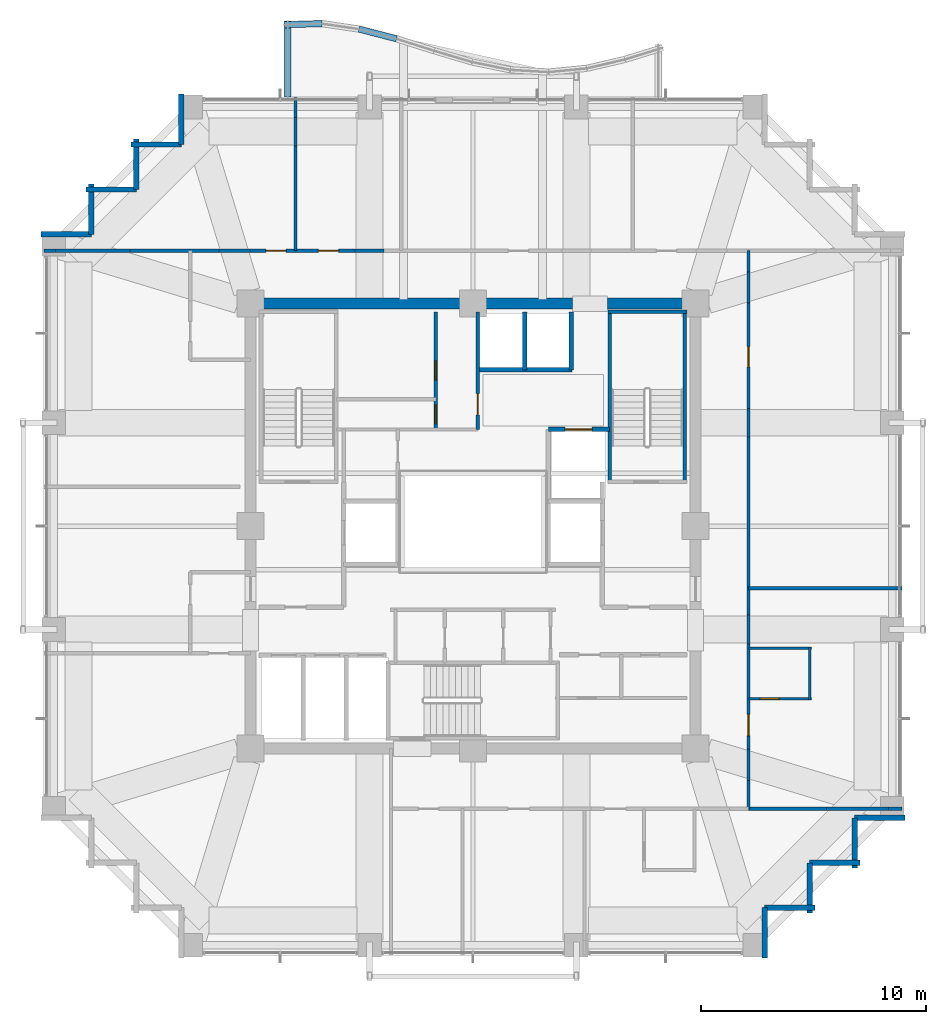
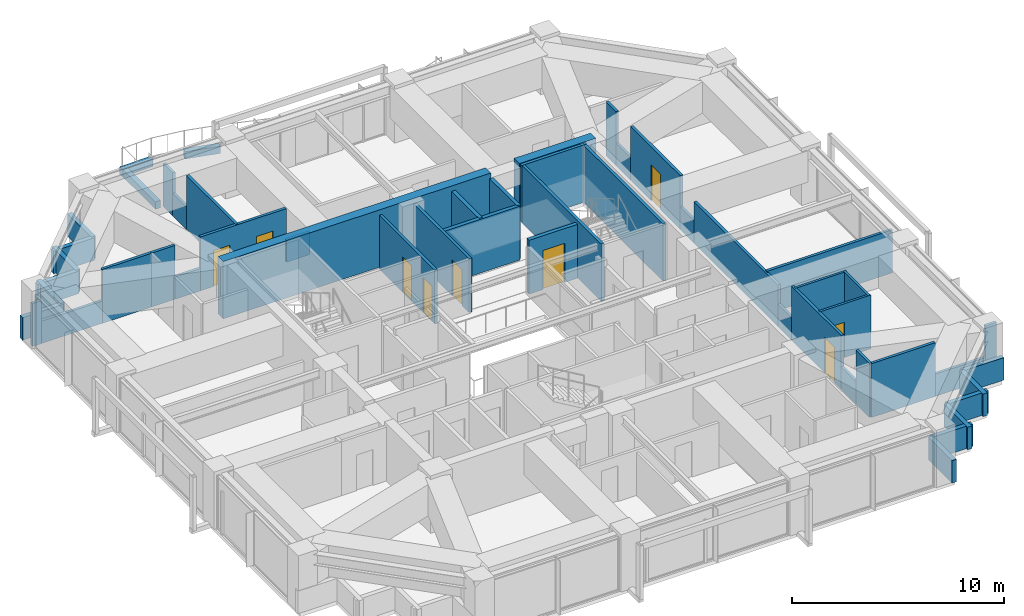
# One storey, part 26 of 28: 52 walls, 9 doors, 9 openings.
"""IFC4 building model written with IfcOpenShell, lengths in metres."""

from ifc_helpers import new_model, si_unit, direction, frame, frame_2d, origin, place, context, subcontext, project, spatial, rectangle, extrude, material, layer, layer_set, type_object, element, fill, save


model = new_model("IFC4")

# Units and contexts
model_context = context("Model", 3, precision=1e-05, world=origin(), true_north=direction((0.0, 1.0)))
body_context = subcontext(model_context, "Body", "Model", "MODEL_VIEW")
ifc_project = project(units=[si_unit("LENGTHUNIT", "METRE"), si_unit("AREAUNIT", "SQUARE_METRE"), si_unit("VOLUMEUNIT", "CUBIC_METRE"), si_unit("PLANEANGLEUNIT", "RADIAN"), si_unit("MASSUNIT", "GRAM", prefix="KILO")], contexts=[model_context])

# Site, building, storey
site_placement = place(None, origin())
site = spatial("IfcSite", under=ifc_project, at=site_placement, CompositionType="ELEMENT")
building_placement = place(site_placement, origin())
building = spatial("IfcBuilding", under=site, at=building_placement, Name="Kolvaren Belvedere", CompositionType="ELEMENT")
storey_placement = place(building_placement, frame((0.0, 0.0, 125.0)))
storey = spatial("IfcBuildingStorey", under=building, at=storey_placement, Name="L36", CompositionType="ELEMENT", Elevation=125.0)

# Walls
ifc_material_1 = material(Name="Concrete C50/60", Category="concrete")
ifc_layer_1 = layer(ifc_material_1, 0.5)
ifc_layer_set_1 = layer_set([ifc_layer_1], Name="Concrete C50/60")
wall_type_1 = type_object("IfcWallType", Name="CW-CORE-500", PredefinedType="SHEAR", material=ifc_layer_set_1)
wall_1_placement = place(storey_placement, frame((-10.14990234375, 9.89990234375, 0.0), z_axis=(0.0, 0.0, 1.0), x_axis=(1.0, 0.0, 0.0)))
element("IfcWall", 1, at=wall_1_placement, inside=storey, type_object=wall_type_1, Name="L36 North Core Shear Wall 1", PredefinedType="SHEAR", context=body_context, shape_type="SweptSolid", body=[
    extrude(rectangle(XDim=14.56982421875, YDim=0.5, at=frame_2d((7.284912109375, 0.0))), origin(), (0.0, 0.0, 1.0), 3.300048828125),
])
wall_2_placement = place(storey_placement, frame((5.97998046875, 9.89990234375, 0.0), z_axis=(0.0, 0.0, 1.0), x_axis=(1.0, 0.0, 0.0)))
element("IfcWall", 2, at=wall_2_placement, inside=storey, type_object=wall_type_1, Name="L36 North Core Shear Wall 2", PredefinedType="SHEAR", context=body_context, shape_type="SweptSolid", body=[
    extrude(rectangle(XDim=4.169921875, YDim=0.5, at=frame_2d((2.0849609375, 0.0))), origin(), (0.0, 0.0, 1.0), 3.300048828125),
])
ifc_material_2 = material(Name="Concrete C50/60", Category="concrete")
ifc_layer_2 = layer(ifc_material_2, 0.159912109375)
ifc_layer_set_2 = layer_set([ifc_layer_2], Name="Concrete C50/60")
wall_type_2 = type_object("IfcWallType", Name="CW-STAIR-160", PredefinedType="SHEAR", material=ifc_layer_set_2)
wall_3_placement = place(storey_placement, frame((6.0, 9.530029296875, 0.0), z_axis=(0.0, 0.0, 1.0), x_axis=(1.0, 0.0, 0.0)))
element("IfcWall", 3, at=wall_3_placement, inside=storey, type_object=wall_type_2, Name="L36 Stair ST-2 North Shear Wall", PredefinedType="SHEAR", context=body_context, shape_type="SweptSolid", body=[
    extrude(rectangle(XDim=3.52001953125, YDim=0.159912109375, at=frame_2d((1.760009765625, 0.0))), origin(), (0.0, 0.0, 1.0), 3.300048828125),
])
for number, where, z_axis, x_axis, name in (
    (4, (6.080078125, 1.969970703125, 0.0), (0.0, 0.0, 1.0), (0.0, 1.0, 0.0), "L36 Stair ST-2 West Shear Wall"),
    (5, (9.429931640625, 1.969970703125, 0.0), (0.0, 0.0, 1.0), (0.0, 1.0, 0.0), "L36 Stair ST-2 East Shear Wall"),
):
    element("IfcWall", number, at=place(storey_placement, frame(where, z_axis=z_axis, x_axis=x_axis)), inside=storey, type_object=wall_type_2, Name=name, PredefinedType="SHEAR", context=body_context, shape_type="SweptSolid", body=[
        extrude(rectangle(XDim=7.56005859375, YDim=0.159912109375, at=frame_2d((3.780029296875, 0.0))), origin(), (0.0, 0.0, 1.0), 3.300048828125),
    ])
ifc_material_3 = material(Name="Gypsum fire-rated partition assembly", Category="gypsum")
ifc_layer_3 = layer(ifc_material_3, 0.14990234375)
ifc_layer_set_3 = layer_set([ifc_layer_3], Name="Gypsum fire-rated partition assembly")
wall_type_3 = type_object("IfcWallType", Name="WL-CORR-150", PredefinedType="PARTITIONING", material=ifc_layer_set_3)
wall_4_placement = place(storey_placement, frame((-12.580078125, 12.260009765625, 0.0), z_axis=(0.0, 0.0, 1.0), x_axis=(1.0, 0.0, 0.0)))
element("IfcWall", 6, at=wall_4_placement, inside=storey, type_object=wall_type_3, Name="L36 North Corridor Wall", PredefinedType="PARTITIONING", context=body_context, shape_type="SweptSolid", body=[
    extrude(rectangle(XDim=1.26953125, YDim=0.14990234375, at=frame_2d((0.634765625, 0.0))), origin(), (0.0, 0.0, 1.0), 3.10009765625),
])
wall_5_placement = place(storey_placement, frame((-11.310546875, 12.260009765625, 0.0), z_axis=(0.0, 0.0, 1.0), x_axis=(1.0, 0.0, 0.0)))
element("IfcWall", 7, at=wall_5_placement, inside=storey, type_object=wall_type_3, Name="L36 North Corridor Wall", PredefinedType="PARTITIONING", context=body_context, shape_type="SweptSolid", body=[
    extrude(rectangle(XDim=1.3916015625, YDim=0.14990234375, at=frame_2d((0.69580078125, 0.0))), origin(), (0.0, 0.0, 1.0), 1.284912109375),
])

# Wall, openings, doors
wall_6_placement = place(storey_placement, frame((-9.9189453125, 12.260009765625, 0.0), z_axis=(0.0, 0.0, 1.0), x_axis=(1.0, 0.0, 0.0)))
wall_6 = element("IfcWall", 8, at=wall_6_placement, inside=storey, type_object=wall_type_3, Name="L36 North Corridor Wall", PredefinedType="PARTITIONING", context=body_context, shape_type="SweptSolid", body=[
    extrude(rectangle(XDim=4.677001953125, YDim=0.14990234375, at=frame_2d((2.33837890625, 0.0))), origin(), (0.0, 0.0, 1.0), 3.10009765625),
])
opening_1_placement = place(wall_6_placement, frame((0.701904296875, 0.0, 0.0)))
opening_1 = element("IfcOpeningElement", 9, at=opening_1_placement, cuts=wall_6, Name="Opening D-INT90", PredefinedType="OPENING", context=body_context, shape_type="SweptSolid", body=[
    extrude(rectangle(XDim=0.89990234375, YDim=2.06005859375, at=frame_2d((0.449951171875, 1.030029296875))), frame((0.0, 0.0849609375, 0.0), z_axis=(0.0, -1.0, 0.0), x_axis=(1.0, 0.0, 0.0)), (0.0, 0.0, 1.0), 0.169921875),
])
opening_2_placement = place(wall_6_placement, frame((3.037109375, 0.0, 0.0)))
opening_2 = element("IfcOpeningElement", 10, at=opening_2_placement, cuts=wall_6, Name="Opening D-INT90", PredefinedType="OPENING", context=body_context, shape_type="SweptSolid", body=[
    extrude(rectangle(XDim=0.89990234375, YDim=2.06005859375, at=frame_2d((0.449951171875, 1.030029296875))), frame((0.0, 0.0849609375, 0.0), z_axis=(0.0, -1.0, 0.0), x_axis=(1.0, 0.0, 0.0)), (0.0, 0.0, 1.0), 0.169921875),
])
ifc_material_4 = material(Name="Stained Pacific white oak", Category="timber")
door_type_1 = type_object("IfcDoorType", Name="DR-INT-900", OperationType="NOTDEFINED", PredefinedType="DOOR", material=ifc_material_4)
door_1_placement = place(opening_1_placement, origin())
door_1 = element("IfcDoor", 11, at=door_1_placement, inside=storey, type_object=door_type_1, Name="L36 Wellness Yoga & Reading Gym 3601 Door", OperationType="SINGLE_SWING_LEFT", OverallHeight=2.06005859375, OverallWidth=0.89990234375, PredefinedType="DOOR", context=body_context, shape_type="SweptSolid", body=[
    extrude(rectangle(XDim=0.89990234375, YDim=2.06005859375, at=frame_2d((0.449951171875, 1.030029296875))), frame((0.0, 0.02490234375, 0.0), z_axis=(0.0, -1.0, 0.0), x_axis=(1.0, 0.0, 0.0)), (0.0, 0.0, 1.0), 0.050048828125),
])
fill(opening_1, door_1)
door_2_placement = place(opening_2_placement, origin())
door_2 = element("IfcDoor", 12, at=door_2_placement, inside=storey, type_object=door_type_1, Name="L36 Guest Tea & Espresso Kitchen 3602 Door", OperationType="SINGLE_SWING_RIGHT", OverallHeight=2.06005859375, OverallWidth=0.89990234375, PredefinedType="DOOR", context=body_context, shape_type="SweptSolid", body=[
    extrude(rectangle(XDim=0.89990234375, YDim=2.06005859375, at=frame_2d((0.449951171875, 1.030029296875))), frame((0.0, 0.02490234375, 0.0), z_axis=(0.0, -1.0, 0.0), x_axis=(1.0, 0.0, 0.0)), (0.0, 0.0, 1.0), 0.050048828125),
])
fill(opening_2, door_2)

# Walls
wall_7_placement = place(storey_placement, frame((-5.241943359375, 12.260009765625, 0.0), z_axis=(0.0, 0.0, 1.0), x_axis=(1.0, 0.0, 0.0)))
element("IfcWall", 13, at=wall_7_placement, inside=storey, type_object=wall_type_3, Name="L36 North Corridor Wall", PredefinedType="PARTITIONING", context=body_context, shape_type="SweptSolid", body=[
    extrude(rectangle(XDim=1.283935546875, YDim=0.14990234375, at=frame_2d((0.64208984375, 0.0))), origin(), (0.0, 0.0, 1.0), 1.284912109375),
])
wall_8_placement = place(storey_placement, frame((12.260009765625, -12.580078125, 0.0), z_axis=(0.0, 0.0, 1.0), x_axis=(0.0, 1.0, 0.0)))
element("IfcWall", 14, at=wall_8_placement, inside=storey, type_object=wall_type_3, Name="L36 East Corridor Wall", PredefinedType="PARTITIONING", context=body_context, shape_type="SweptSolid", body=[
    extrude(rectangle(XDim=1.26953125, YDim=0.14990234375, at=frame_2d((0.634765625, 0.0))), origin(), (0.0, 0.0, 1.0), 3.10009765625),
])
wall_9_placement = place(storey_placement, frame((12.260009765625, -11.310546875, 0.0), z_axis=(0.0, 0.0, 1.0), x_axis=(0.0, 1.0, 0.0)))
element("IfcWall", 15, at=wall_9_placement, inside=storey, type_object=wall_type_3, Name="L36 East Corridor Wall", PredefinedType="PARTITIONING", context=body_context, shape_type="SweptSolid", body=[
    extrude(rectangle(XDim=1.3916015625, YDim=0.14990234375, at=frame_2d((0.69580078125, 0.0))), origin(), (0.0, 0.0, 1.0), 1.284912109375),
])

# Wall, opening, door
wall_10_placement = place(storey_placement, frame((12.260009765625, -9.9189453125, 0.0), z_axis=(0.0, 0.0, 1.0), x_axis=(0.0, 1.0, 0.0)))
wall_10 = element("IfcWall", 16, at=wall_10_placement, inside=storey, type_object=wall_type_3, Name="L36 East Corridor Wall", PredefinedType="PARTITIONING", context=body_context, shape_type="SweptSolid", body=[
    extrude(rectangle(XDim=4.677001953125, YDim=0.14990234375, at=frame_2d((2.33837890625, 0.0))), origin(), (0.0, 0.0, 1.0), 3.10009765625),
])
opening_3_placement = place(wall_10_placement, frame((0.593017578125, 0.0, 0.0)))
opening_3 = element("IfcOpeningElement", 17, at=opening_3_placement, cuts=wall_10, Name="Opening D-FD60", PredefinedType="OPENING", context=body_context, shape_type="SweptSolid", body=[
    extrude(rectangle(XDim=0.949951171875, YDim=2.06005859375, at=frame_2d((0.47509765625, 1.030029296875))), frame((0.0, 0.0849609375, 0.0), z_axis=(0.0, -1.0, 0.0), x_axis=(1.0, 0.0, 0.0)), (0.0, 0.0, 1.0), 0.169921875),
])
ifc_material_5 = material(Name="Acoustic white-oak fire door leaf", Category="timber")
door_type_2 = type_object("IfcDoorType", Name="DR-FD60-950", OperationType="NOTDEFINED", PredefinedType="DOOR", material=ifc_material_5)
door_3_placement = place(opening_3_placement, origin())
door_3 = element("IfcDoor", 18, at=door_3_placement, inside=storey, type_object=door_type_2, Name="L36 King Guest Room 3605 Entry Door", OperationType="SINGLE_SWING_RIGHT", OverallHeight=2.06005859375, OverallWidth=0.949951171875, PredefinedType="DOOR", context=body_context, shape_type="SweptSolid", body=[
    extrude(rectangle(XDim=0.949951171875, YDim=2.06005859375, at=frame_2d((0.47509765625, 1.030029296875))), frame((0.0, 0.02490234375, 0.0), z_axis=(0.0, -1.0, 0.0), x_axis=(1.0, 0.0, 0.0)), (0.0, 0.0, 1.0), 0.050048828125),
])
fill(opening_3, door_3)

# Walls
wall_11_placement = place(storey_placement, frame((12.260009765625, -5.241943359375, 0.0), z_axis=(0.0, 0.0, 1.0), x_axis=(0.0, 1.0, 0.0)))
element("IfcWall", 19, at=wall_11_placement, inside=storey, type_object=wall_type_3, Name="L36 East Corridor Wall", PredefinedType="PARTITIONING", context=body_context, shape_type="SweptSolid", body=[
    extrude(rectangle(XDim=1.283935546875, YDim=0.14990234375, at=frame_2d((0.64208984375, 0.0))), origin(), (0.0, 0.0, 1.0), 1.284912109375),
])
wall_12_placement = place(storey_placement, frame((12.260009765625, -3.9580078125, 0.0), z_axis=(0.0, 0.0, 1.0), x_axis=(0.0, 1.0, 0.0)))
element("IfcWall", 20, at=wall_12_placement, inside=storey, type_object=wall_type_3, Name="L36 East Corridor Wall", PredefinedType="PARTITIONING", context=body_context, shape_type="SweptSolid", body=[
    extrude(rectangle(XDim=7.916015625, YDim=0.14990234375, at=frame_2d((3.9580078125, 0.0))), origin(), (0.0, 0.0, 1.0), 2.388916015625),
])
wall_13_placement = place(storey_placement, frame((12.260009765625, 3.9580078125, 0.0), z_axis=(0.0, 0.0, 1.0), x_axis=(0.0, 1.0, 0.0)))
element("IfcWall", 21, at=wall_13_placement, inside=storey, type_object=wall_type_3, Name="L36 East Corridor Wall", PredefinedType="PARTITIONING", context=body_context, shape_type="SweptSolid", body=[
    extrude(rectangle(XDim=1.283935546875, YDim=0.14990234375, at=frame_2d((0.64208984375, 0.0))), origin(), (0.0, 0.0, 1.0), 1.284912109375),
])

# Wall, opening, door
wall_14_placement = place(storey_placement, frame((12.260009765625, 5.241943359375, 0.0), z_axis=(0.0, 0.0, 1.0), x_axis=(0.0, 1.0, 0.0)))
wall_14 = element("IfcWall", 22, at=wall_14_placement, inside=storey, type_object=wall_type_3, Name="L36 East Corridor Wall", PredefinedType="PARTITIONING", context=body_context, shape_type="SweptSolid", body=[
    extrude(rectangle(XDim=4.677001953125, YDim=0.14990234375, at=frame_2d((2.33837890625, 0.0))), origin(), (0.0, 0.0, 1.0), 3.10009765625),
])
opening_4_placement = place(wall_14_placement, frame((1.843017578125, 0.0, 0.0)))
opening_4 = element("IfcOpeningElement", 23, at=opening_4_placement, cuts=wall_14, Name="Opening D-INT90", PredefinedType="OPENING", context=body_context, shape_type="SweptSolid", body=[
    extrude(rectangle(XDim=0.89990234375, YDim=2.06005859375, at=frame_2d((0.449951171875, 1.030029296875))), frame((0.0, 0.0849609375, 0.0), z_axis=(0.0, -1.0, 0.0), x_axis=(1.0, 0.0, 0.0)), (0.0, 0.0, 1.0), 0.169921875),
])
door_4_placement = place(opening_4_placement, origin())
door_4 = element("IfcDoor", 24, at=door_4_placement, inside=storey, type_object=door_type_1, Name="L36 Lounge 3606 Door", OperationType="SINGLE_SWING_LEFT", OverallHeight=2.06005859375, OverallWidth=0.89990234375, PredefinedType="DOOR", context=body_context, shape_type="SweptSolid", body=[
    extrude(rectangle(XDim=0.89990234375, YDim=2.06005859375, at=frame_2d((0.449951171875, 1.030029296875))), frame((0.0, 0.02490234375, 0.0), z_axis=(0.0, -1.0, 0.0), x_axis=(1.0, 0.0, 0.0)), (0.0, 0.0, 1.0), 0.050048828125),
])
fill(opening_4, door_4)

# Walls
wall_15_placement = place(storey_placement, frame((12.260009765625, 9.9189453125, 0.0), z_axis=(0.0, 0.0, 1.0), x_axis=(0.0, 1.0, 0.0)))
element("IfcWall", 25, at=wall_15_placement, inside=storey, type_object=wall_type_3, Name="L36 East Corridor Wall", PredefinedType="PARTITIONING", context=body_context, shape_type="SweptSolid", body=[
    extrude(rectangle(XDim=1.3916015625, YDim=0.14990234375, at=frame_2d((0.69580078125, 0.0))), origin(), (0.0, 0.0, 1.0), 1.284912109375),
])
wall_16_placement = place(storey_placement, frame((12.260009765625, 11.310546875, 0.0), z_axis=(0.0, 0.0, 1.0), x_axis=(0.0, 1.0, 0.0)))
element("IfcWall", 26, at=wall_16_placement, inside=storey, type_object=wall_type_3, Name="L36 East Corridor Wall", PredefinedType="PARTITIONING", context=body_context, shape_type="SweptSolid", body=[
    extrude(rectangle(XDim=0.949462890625, YDim=0.14990234375, at=frame_2d((0.474609375, 0.0))), origin(), (0.0, 0.0, 1.0), 3.10009765625),
])
ifc_material_6 = material(Name="Insulated pale-metal facade wall assembly", Category="aluminium")
ifc_layer_4 = layer(ifc_material_6, 0.239990234375)
ifc_layer_set_4 = layer_set([ifc_layer_4], Name="Insulated pale-metal facade wall assembly")
wall_type_4 = type_object("IfcWallType", Name="WL-EXT-240", PredefinedType="STANDARD", material=ifc_layer_set_4)
for number, where, z_axis, x_axis, name in (
    (27, (12.97998046875, -16.97998046875, 0.0), (0.0, 0.0, 1.0), (0.0, -1.0, 0.0), "L36 Serrated Corner Facade Wall 2"),
    (28, (15.219970703125, -16.97998046875, 0.0), (0.0, 0.0, 1.0), (-1.0, 0.0, 0.0), "L36 Serrated Corner Facade Wall 3"),
    (29, (14.97998046875, -14.97998046875, 0.0), (0.0, 0.0, 1.0), (0.0, -1.0, 0.0), "L36 Serrated Corner Facade Wall 4"),
    (30, (17.219970703125, -14.97998046875, 0.0), (0.0, 0.0, 1.0), (-1.0, 0.0, 0.0), "L36 Serrated Corner Facade Wall 5"),
    (31, (16.97998046875, -12.97998046875, 0.0), (0.0, 0.0, 1.0), (0.0, -1.0, 0.0), "L36 Serrated Corner Facade Wall 6"),
    (32, (19.219970703125, -12.97998046875, 0.0), (0.0, 0.0, 1.0), (-1.0, 0.0, 0.0), "L36 Serrated Corner Facade Wall 7"),
    (33, (-12.97998046875, 16.97998046875, 0.0), (0.0, 0.0, 1.0), (0.0, 1.0, 0.0), "L36 Serrated Corner Facade Wall 16"),
    (34, (-15.219970703125, 16.97998046875, 0.0), (0.0, 0.0, 1.0), (1.0, 0.0, 0.0), "L36 Serrated Corner Facade Wall 17"),
    (35, (-14.97998046875, 14.97998046875, 0.0), (0.0, 0.0, 1.0), (0.0, 1.0, 0.0), "L36 Serrated Corner Facade Wall 18"),
    (36, (-17.219970703125, 14.97998046875, 0.0), (0.0, 0.0, 1.0), (1.0, 0.0, 0.0), "L36 Serrated Corner Facade Wall 19"),
    (37, (-16.97998046875, 12.97998046875, 0.0), (0.0, 0.0, 1.0), (0.0, 1.0, 0.0), "L36 Serrated Corner Facade Wall 20"),
    (38, (-19.219970703125, 12.97998046875, 0.0), (0.0, 0.0, 1.0), (1.0, 0.0, 0.0), "L36 Serrated Corner Facade Wall 21"),
):
    element("IfcWall", number, at=place(storey_placement, frame(where, z_axis=z_axis, x_axis=x_axis)), inside=storey, type_object=wall_type_4, Name=name, PredefinedType="STANDARD", context=body_context, shape_type="SweptSolid", body=[
        extrude(rectangle(XDim=2.239990234375, YDim=0.239990234375, at=frame_2d((1.1201171875, 0.0))), origin(), (0.0, 0.0, 1.0), 1.294921875),
    ])

# Wall, opening, door
ifc_material_7 = material(Name="Gypsum acoustic partition assembly", Category="gypsum")
ifc_layer_5 = layer(ifc_material_7, 0.14990234375)
ifc_layer_set_5 = layer_set([ifc_layer_5], Name="Gypsum acoustic partition assembly")
wall_type_5 = type_object("IfcWallType", Name="WL-PART-150", PredefinedType="PARTITIONING", material=ifc_layer_set_5)
wall_17_placement = place(storey_placement, frame((0.219970703125, 4.300048828125, 0.0), z_axis=(0.0, 0.0, 1.0), x_axis=(0.0, 1.0, 0.0)))
wall_17 = element("IfcWall", 39, at=wall_17_placement, inside=storey, type_object=wall_type_5, Name="L36 Reclaimed Salon East Wall", PredefinedType="PARTITIONING", context=body_context, shape_type="SweptSolid", body=[
    extrude(rectangle(XDim=5.219970703125, YDim=0.14990234375, at=frame_2d((2.60986328125, 0.0))), origin(), (0.0, 0.0, 1.0), 3.10009765625),
])
opening_5_placement = place(wall_17_placement, frame((0.64990234375, 0.0, 0.0)))
opening_5 = element("IfcOpeningElement", 40, at=opening_5_placement, cuts=wall_17, Name="Opening D-INT95", PredefinedType="OPENING", context=body_context, shape_type="SweptSolid", body=[
    extrude(rectangle(XDim=0.949951171875, YDim=2.06005859375, at=frame_2d((0.47509765625, 1.030029296875))), frame((0.0, 0.0849609375, 0.0), z_axis=(0.0, -1.0, 0.0), x_axis=(1.0, 0.0, 0.0)), (0.0, 0.0, 1.0), 0.169921875),
])
ifc_material_8 = material(Name="Stained Pacific white oak", Category="timber")
door_type_3 = type_object("IfcDoorType", Name="DR-INT-950", OperationType="NOTDEFINED", PredefinedType="DOOR", material=ifc_material_8)
door_5_placement = place(opening_5_placement, origin())
door_5 = element("IfcDoor", 41, at=door_5_placement, inside=storey, type_object=door_type_3, Name="L36 Wellness Tearoom Door", OperationType="SINGLE_SWING_LEFT", OverallHeight=2.06005859375, OverallWidth=0.949951171875, PredefinedType="DOOR", context=body_context, shape_type="SweptSolid", body=[
    extrude(rectangle(XDim=0.949951171875, YDim=2.06005859375, at=frame_2d((0.47509765625, 1.030029296875))), frame((0.0, 0.02490234375, 0.0), z_axis=(0.0, -1.0, 0.0), x_axis=(1.0, 0.0, 0.0)), (0.0, 0.0, 1.0), 0.050048828125),
])
fill(opening_5, door_5)

# Wall, openings, doors
wall_18_placement = place(storey_placement, frame((-1.64990234375, 4.300048828125, 0.0), z_axis=(0.0, 0.0, 1.0), x_axis=(0.0, 1.0, 0.0)))
wall_18 = element("IfcWall", 42, at=wall_18_placement, inside=storey, type_object=wall_type_5, Name="L36 Reclaimed Tearoom V-Divider", PredefinedType="PARTITIONING", context=body_context, shape_type="SweptSolid", body=[
    extrude(rectangle(XDim=5.219970703125, YDim=0.14990234375, at=frame_2d((2.60986328125, 0.0))), origin(), (0.0, 0.0, 1.0), 3.10009765625),
])
opening_6_placement = place(wall_18_placement, frame((2.199951171875, 0.0, 0.0)))
opening_6 = element("IfcOpeningElement", 43, at=opening_6_placement, cuts=wall_18, Name="Opening D-INT85", PredefinedType="OPENING", context=body_context, shape_type="SweptSolid", body=[
    extrude(rectangle(XDim=0.85009765625, YDim=2.030029296875, at=frame_2d((0.425048828125, 1.01513671875))), frame((0.0, 0.0849609375, 0.0), z_axis=(0.0, -1.0, 0.0), x_axis=(1.0, 0.0, 0.0)), (0.0, 0.0, 1.0), 0.169921875),
])
opening_7_placement = place(wall_18_placement, frame((0.25, 0.0, 0.0)))
opening_7 = element("IfcOpeningElement", 44, at=opening_7_placement, cuts=wall_18, Name="Opening D-INT85", PredefinedType="OPENING", context=body_context, shape_type="SweptSolid", body=[
    extrude(rectangle(XDim=0.85009765625, YDim=2.030029296875, at=frame_2d((0.425048828125, 1.01513671875))), frame((0.0, 0.0849609375, 0.0), z_axis=(0.0, -1.0, 0.0), x_axis=(1.0, 0.0, 0.0)), (0.0, 0.0, 1.0), 0.169921875),
])
ifc_material_9 = material(Name="Stained Pacific white oak", Category="timber")
door_type_4 = type_object("IfcDoorType", Name="DR-INT-850", OperationType="NOTDEFINED", PredefinedType="DOOR", material=ifc_material_9)
door_6_placement = place(opening_6_placement, origin())
door_6 = element("IfcDoor", 45, at=door_6_placement, inside=storey, type_object=door_type_4, Name="L36 Meditation Room Door", OperationType="SINGLE_SWING_RIGHT", OverallHeight=2.030029296875, OverallWidth=0.85009765625, PredefinedType="DOOR", context=body_context, shape_type="SweptSolid", body=[
    extrude(rectangle(XDim=0.85009765625, YDim=2.030029296875, at=frame_2d((0.425048828125, 1.01513671875))), frame((0.0, 0.02490234375, 0.0), z_axis=(0.0, -1.0, 0.0), x_axis=(1.0, 0.0, 0.0)), (0.0, 0.0, 1.0), 0.050048828125),
])
fill(opening_6, door_6)
door_7_placement = place(opening_7_placement, origin())
door_7 = element("IfcDoor", 46, at=door_7_placement, inside=storey, type_object=door_type_4, Name="L36 Herbal Closet Door", OperationType="SINGLE_SWING_RIGHT", OverallHeight=2.030029296875, OverallWidth=0.85009765625, PredefinedType="DOOR", context=body_context, shape_type="SweptSolid", body=[
    extrude(rectangle(XDim=0.85009765625, YDim=2.030029296875, at=frame_2d((0.425048828125, 1.01513671875))), frame((0.0, 0.02490234375, 0.0), z_axis=(0.0, -1.0, 0.0), x_axis=(1.0, 0.0, 0.0)), (0.0, 0.0, 1.0), 0.050048828125),
])
fill(opening_7, door_7)

# Walls
wall_19_placement = place(storey_placement, frame((12.260009765625, -12.580078125, 0.0), z_axis=(0.0, 0.0, 1.0), x_axis=(1.0, 0.0, 0.0)))
element("IfcWall", 47, at=wall_19_placement, inside=storey, type_object=wall_type_5, Name="L36 Wing Divider PW-L36-QSE", PredefinedType="PARTITIONING", context=body_context, shape_type="SweptSolid", body=[
    extrude(rectangle(XDim=3.4775390625, YDim=0.14990234375, at=frame_2d((1.73876953125, 0.0))), origin(), (0.0, 0.0, 1.0), 3.10009765625),
])
wall_20_placement = place(storey_placement, frame((15.737548828125, -12.580078125, 0.0), z_axis=(0.0, 0.0, 1.0), x_axis=(1.0, 0.0, 0.0)))
element("IfcWall", 48, at=wall_20_placement, inside=storey, type_object=wall_type_5, Name="L36 Wing Divider PW-L36-QSE", PredefinedType="PARTITIONING", context=body_context, shape_type="SweptSolid", body=[
    extrude(rectangle(XDim=2.740234375, YDim=0.14990234375, at=frame_2d((1.3701171875, 0.0))), origin(), (0.0, 0.0, 1.0), 1.284912109375),
])
wall_21_placement = place(storey_placement, frame((18.477783203125, -12.580078125, 0.0), z_axis=(0.0, 0.0, 1.0), x_axis=(1.0, 0.0, 0.0)))
element("IfcWall", 49, at=wall_21_placement, inside=storey, type_object=wall_type_5, Name="L36 Wing Divider PW-L36-QSE", PredefinedType="PARTITIONING", context=body_context, shape_type="SweptSolid", body=[
    extrude(rectangle(XDim=0.602294921875, YDim=0.14990234375, at=frame_2d((0.30126953125, 0.0))), origin(), (0.0, 0.0, 1.0), 3.10009765625),
])
wall_22_placement = place(storey_placement, frame((-19.080078125, 12.260009765625, 0.0), z_axis=(0.0, 0.0, 1.0), x_axis=(1.0, 0.0, 0.0)))
element("IfcWall", 50, at=wall_22_placement, inside=storey, type_object=wall_type_5, Name="L36 Wing Divider PW-L36-QNW", PredefinedType="PARTITIONING", context=body_context, shape_type="SweptSolid", body=[
    extrude(rectangle(XDim=0.50537109375, YDim=0.14990234375, at=frame_2d((0.252685546875, 0.0))), origin(), (0.0, 0.0, 1.0), 2.468994140625),
])
wall_23_placement = place(storey_placement, frame((-18.57470703125, 12.260009765625, 0.0), z_axis=(0.0, 0.0, 1.0), x_axis=(1.0, 0.0, 0.0)))
element("IfcWall", 51, at=wall_23_placement, inside=storey, type_object=wall_type_5, Name="L36 Wing Divider PW-L36-QNW", PredefinedType="PARTITIONING", context=body_context, shape_type="SweptSolid", body=[
    extrude(rectangle(XDim=3.310791015625, YDim=0.14990234375, at=frame_2d((1.6552734375, 0.0))), origin(), (0.0, 0.0, 1.0), 1.284912109375),
])
wall_24_placement = place(storey_placement, frame((-15.263916015625, 12.260009765625, 0.0), z_axis=(0.0, 0.0, 1.0), x_axis=(1.0, 0.0, 0.0)))
element("IfcWall", 52, at=wall_24_placement, inside=storey, type_object=wall_type_5, Name="L36 Wing Divider PW-L36-QNW", PredefinedType="PARTITIONING", context=body_context, shape_type="SweptSolid", body=[
    extrude(rectangle(XDim=2.683837890625, YDim=0.14990234375, at=frame_2d((1.341796875, 0.0))), origin(), (0.0, 0.0, 1.0), 3.10009765625),
])
wall_25_placement = place(storey_placement, frame((-7.89599609375, 12.260009765625, 0.0), z_axis=(0.0, 0.0, 1.0), x_axis=(0.0, 1.0, 0.0)))
element("IfcWall", 53, at=wall_25_placement, inside=storey, type_object=wall_type_5, Name="L36 North Suite Demising Wall 1", PredefinedType="PARTITIONING", context=body_context, shape_type="SweptSolid", body=[
    extrude(rectangle(XDim=4.64794921875, YDim=0.14990234375, at=frame_2d((2.323974609375, 0.0))), origin(), (0.0, 0.0, 1.0), 3.10009765625),
])
wall_26_placement = place(storey_placement, frame((-7.89599609375, 16.907958984375, 0.0), z_axis=(0.0, 0.0, 1.0), x_axis=(0.0, 1.0, 0.0)))
element("IfcWall", 54, at=wall_26_placement, inside=storey, type_object=wall_type_5, Name="L36 North Suite Demising Wall 1", PredefinedType="PARTITIONING", context=body_context, shape_type="SweptSolid", body=[
    extrude(rectangle(XDim=1.283935546875, YDim=0.14990234375, at=frame_2d((0.64208984375, 0.0))), origin(), (0.0, 0.0, 1.0), 1.284912109375),
])
wall_27_placement = place(storey_placement, frame((-7.89599609375, 18.19189453125, 0.0), z_axis=(0.0, 0.0, 1.0), x_axis=(0.0, 1.0, 0.0)))
element("IfcWall", 55, at=wall_27_placement, inside=storey, type_object=wall_type_5, Name="L36 North Suite Demising Wall 1", PredefinedType="PARTITIONING", context=body_context, shape_type="SweptSolid", body=[
    extrude(rectangle(XDim=0.88818359375, YDim=0.14990234375, at=frame_2d((0.444091796875, 0.0))), origin(), (0.0, 0.0, 1.0), 2.468994140625),
])
wall_28_placement = place(storey_placement, frame((12.260009765625, -2.760009765625, 0.0), z_axis=(0.0, 0.0, 1.0), x_axis=(1.0, 0.0, 0.0)))
element("IfcWall", 56, at=wall_28_placement, inside=storey, type_object=wall_type_5, Name="L36 East Suite Demising Wall 1", PredefinedType="PARTITIONING", context=body_context, shape_type="SweptSolid", body=[
    extrude(rectangle(XDim=6.820068359375, YDim=0.14990234375, at=frame_2d((3.41015625, 0.0))), origin(), (0.0, 0.0, 1.0), 2.468994140625),
])
ifc_material_10 = material(Name="Precast concrete C40/50", Category="concrete")
ifc_layer_6 = layer(ifc_material_10, 0.300048828125)
ifc_layer_set_6 = layer_set([ifc_layer_6], Name="Precast concrete C40/50")
wall_type_6 = type_object("IfcWallType", Name="WL-PLANTER-300", PredefinedType="PARAPET", material=ifc_layer_set_6)
wall_29_placement = place(storey_placement, frame((-3.400146484375, 21.6826171875, -0.0400390625), z_axis=(0.0, 0.0, 1.0), x_axis=(-0.968132209145, 0.250439664624, 0.0)))
element("IfcWall", 57, at=wall_29_placement, inside=storey, type_object=wall_type_6, Name="L36 Precast Structural Planter Wall BAL-N-19", PredefinedType="PARAPET", context=body_context, shape_type="SweptSolid", body=[
    extrude(rectangle(XDim=1.7353515625, YDim=0.280029296875, at=frame_2d((0.86767578125, 0.0))), origin(), (0.0, 0.0, 1.0), 0.419921875),
])
wall_30_placement = place(storey_placement, frame((-6.715087890625, 22.360107421875, -0.0400390625), z_axis=(0.0, 0.0, 1.0), x_axis=(-0.999503107358, -0.031520443874, 0.0)))
element("IfcWall", 58, at=wall_30_placement, inside=storey, type_object=wall_type_6, Name="L36 Precast Structural Planter Wall BAL-N-21", PredefinedType="PARAPET", context=body_context, shape_type="SweptSolid", body=[
    extrude(rectangle(XDim=1.6806640625, YDim=0.280029296875, at=frame_2d((0.84033203125, 0.0))), origin(), (0.0, 0.0, 1.0), 0.419921875),
])
wall_31_placement = place(storey_placement, frame((-8.239990234375, 22.467041015625, -0.0400390625), z_axis=(0.0, 0.0, 1.0), x_axis=(0.0, -1.0, 0.0)))
element("IfcWall", 59, at=wall_31_placement, inside=storey, type_object=wall_type_6, Name="L36 Precast Structural Planter Wall BAL-N-22", PredefinedType="PARAPET", context=body_context, shape_type="SweptSolid", body=[
    extrude(rectangle(XDim=3.366943359375, YDim=0.280029296875, at=frame_2d((1.68359375, 0.0))), origin(), (0.0, 0.0, 1.0), 0.419921875),
])

# Wall, opening, door
ifc_material_11 = material(Name="Concrete C50/60", Category="concrete")
ifc_layer_7 = layer(ifc_material_11, 0.199951171875)
ifc_layer_set_7 = layer_set([ifc_layer_7], Name="Concrete C50/60")
wall_type_7 = type_object("IfcWallType", Name="WL-SHAFT-200", PredefinedType="SOLIDWALL", material=ifc_layer_set_7)
wall_32_placement = place(storey_placement, frame((3.35009765625, 4.300048828125, 0.0), z_axis=(0.0, 0.0, 1.0), x_axis=(1.0, 0.0, 0.0)))
wall_32 = element("IfcWall", 60, at=wall_32_placement, inside=storey, type_object=wall_type_7, Name="L36 Service Lift SV1 Front Wall", PredefinedType="SOLIDWALL", context=body_context, shape_type="SweptSolid", body=[
    extrude(rectangle(XDim=2.72998046875, YDim=0.199951171875, at=frame_2d((1.364990234375, 0.0))), origin(), (0.0, 0.0, 1.0), 3.10009765625),
])
opening_8_placement = place(wall_32_placement, frame((0.75, 0.0, 0.0)))
opening_8 = element("IfcOpeningElement", 61, at=opening_8_placement, cuts=wall_32, Name="Opening LD-12", PredefinedType="OPENING", context=body_context, shape_type="SweptSolid", body=[
    extrude(rectangle(XDim=1.199951171875, YDim=2.25, at=frame_2d((0.60009765625, 1.125))), frame((0.0, 0.10986328125, 0.0), z_axis=(0.0, -1.0, 0.0), x_axis=(1.0, 0.0, 0.0)), (0.0, 0.0, 1.0), 0.219970703125),
])
ifc_material_12 = material(Name="Brushed stainless steel", Category="steel")
door_type_5 = type_object("IfcDoorType", Name="DR-LIFT-1200", OperationType="DOUBLE_DOOR_SLIDING", PredefinedType="DOOR", material=ifc_material_12)
door_8_placement = place(opening_8_placement, origin())
door_8 = element("IfcDoor", 62, at=door_8_placement, inside=storey, type_object=door_type_5, Name="L36 Service Lift SV1 Landing Door", OperationType="DOUBLE_DOOR_SLIDING", OverallHeight=2.25, OverallWidth=1.199951171875, PredefinedType="DOOR", context=body_context, shape_type="SweptSolid", body=[
    extrude(rectangle(XDim=1.199951171875, YDim=2.25, at=frame_2d((0.60009765625, 1.125))), frame((0.0, 0.02490234375, 0.0), z_axis=(0.0, -1.0, 0.0), x_axis=(1.0, 0.0, 0.0)), (0.0, 0.0, 1.0), 0.050048828125),
])
fill(opening_8, door_8)

# Walls
wall_33_placement = place(storey_placement, frame((0.219970703125, 6.949951171875, 0.0), z_axis=(0.0, 0.0, 1.0), x_axis=(1.0, 0.0, 0.0)))
element("IfcWall", 63, at=wall_33_placement, inside=storey, type_object=wall_type_7, Name="L36 Express Shuttle Hoistway Wall", PredefinedType="SOLIDWALL", context=body_context, shape_type="SweptSolid", body=[
    extrude(rectangle(XDim=4.179931640625, YDim=0.199951171875, at=frame_2d((2.08984375, 0.0))), origin(), (0.0, 0.0, 1.0), 3.10009765625),
])
for number, where, z_axis, x_axis, name in (
    (64, (4.3798828125, 6.949951171875, 0.0), (0.0, 0.0, 1.0), (0.0, 1.0, 0.0), "L36 Express Shuttle East Wall"),
    (65, (2.31005859375, 6.949951171875, 0.0), (0.0, 0.0, 1.0), (0.0, 1.0, 0.0), "L36 Express Shuttle Divider"),
):
    element("IfcWall", number, at=place(storey_placement, frame(where, z_axis=z_axis, x_axis=x_axis)), inside=storey, type_object=wall_type_7, Name=name, PredefinedType="SOLIDWALL", context=body_context, shape_type="SweptSolid", body=[
        extrude(rectangle(XDim=2.570068359375, YDim=0.199951171875, at=frame_2d((1.28515625, 0.0))), origin(), (0.0, 0.0, 1.0), 3.10009765625),
    ])

# Wall, opening, door
ifc_material_13 = material(Name="Moisture-resistant gypsum partition", Category="gypsum")
ifc_layer_8 = layer(ifc_material_13, 0.125)
ifc_layer_set_8 = layer_set([ifc_layer_8], Name="Moisture-resistant gypsum partition")
wall_type_8 = type_object("IfcWallType", Name="WL-WET-125", PredefinedType="PARTITIONING", material=ifc_layer_set_8)
wall_34_placement = place(storey_placement, frame((12.27490234375, -7.681884765625, 0.0), z_axis=(0.0, 0.0, 1.0), x_axis=(1.0, 0.0, 0.0)))
wall_34 = element("IfcWall", 66, at=wall_34_placement, inside=storey, type_object=wall_type_8, Name="L36 Bathroom Partition PW-L36-BTH-5-N", PredefinedType="PARTITIONING", context=body_context, shape_type="SweptSolid", body=[
    extrude(rectangle(XDim=2.7900390625, YDim=0.125, at=frame_2d((1.39501953125, 0.0))), origin(), (0.0, 0.0, 1.0), 3.10009765625),
])
opening_9_placement = place(wall_34_placement, frame((0.5, 0.0, 0.0)))
opening_9 = element("IfcOpeningElement", 67, at=opening_9_placement, cuts=wall_34, Name="Opening D-BTH85", PredefinedType="OPENING", context=body_context, shape_type="SweptSolid", body=[
    extrude(rectangle(XDim=0.85009765625, YDim=2.030029296875, at=frame_2d((0.425048828125, 1.01513671875))), frame((0.0, 0.072509765625, 0.0), z_axis=(0.0, -1.0, 0.0), x_axis=(1.0, 0.0, 0.0)), (0.0, 0.0, 1.0), 0.14501953125),
])
ifc_material_14 = material(Name="Moisture-sealed Pacific white oak", Category="timber")
door_type_6 = type_object("IfcDoorType", Name="DR-BATH-850", OperationType="NOTDEFINED", PredefinedType="DOOR", material=ifc_material_14)
door_9_placement = place(opening_9_placement, origin())
door_9 = element("IfcDoor", 68, at=door_9_placement, inside=storey, type_object=door_type_6, Name="L36 En-Suite Bathroom 3605 Door", OperationType="SINGLE_SWING_LEFT", OverallHeight=2.030029296875, OverallWidth=0.85009765625, PredefinedType="DOOR", context=body_context, shape_type="SweptSolid", body=[
    extrude(rectangle(XDim=0.85009765625, YDim=2.030029296875, at=frame_2d((0.425048828125, 1.01513671875))), frame((0.0, 0.02490234375, 0.0), z_axis=(0.0, -1.0, 0.0), x_axis=(1.0, 0.0, 0.0)), (0.0, 0.0, 1.0), 0.050048828125),
])
fill(opening_9, door_9)

# Walls
wall_35_placement = place(storey_placement, frame((14.985107421875, -7.741943359375, 0.0), z_axis=(0.0, 0.0, 1.0), x_axis=(0.0, 1.0, 0.0)))
element("IfcWall", 69, at=wall_35_placement, inside=storey, type_object=wall_type_8, Name="L36 Bathroom Partition PW-L36-BTH-5-V", PredefinedType="PARTITIONING", context=body_context, shape_type="SweptSolid", body=[
    extrude(rectangle(XDim=2.369873046875, YDim=0.125, at=frame_2d((1.18505859375, 0.0))), origin(), (0.0, 0.0, 1.0), 3.10009765625),
])
wall_36_placement = place(storey_placement, frame((12.27490234375, -5.431884765625, 0.0), z_axis=(0.0, 0.0, 1.0), x_axis=(1.0, 0.0, 0.0)))
element("IfcWall", 70, at=wall_36_placement, inside=storey, type_object=wall_type_8, Name="L36 Bathroom Partition PW-L36-BTH-5-S", PredefinedType="PARTITIONING", context=body_context, shape_type="SweptSolid", body=[
    extrude(rectangle(XDim=2.7900390625, YDim=0.125, at=frame_2d((1.39501953125, 0.0))), origin(), (0.0, 0.0, 1.0), 3.10009765625),
])

save(model, "model.ifc")
